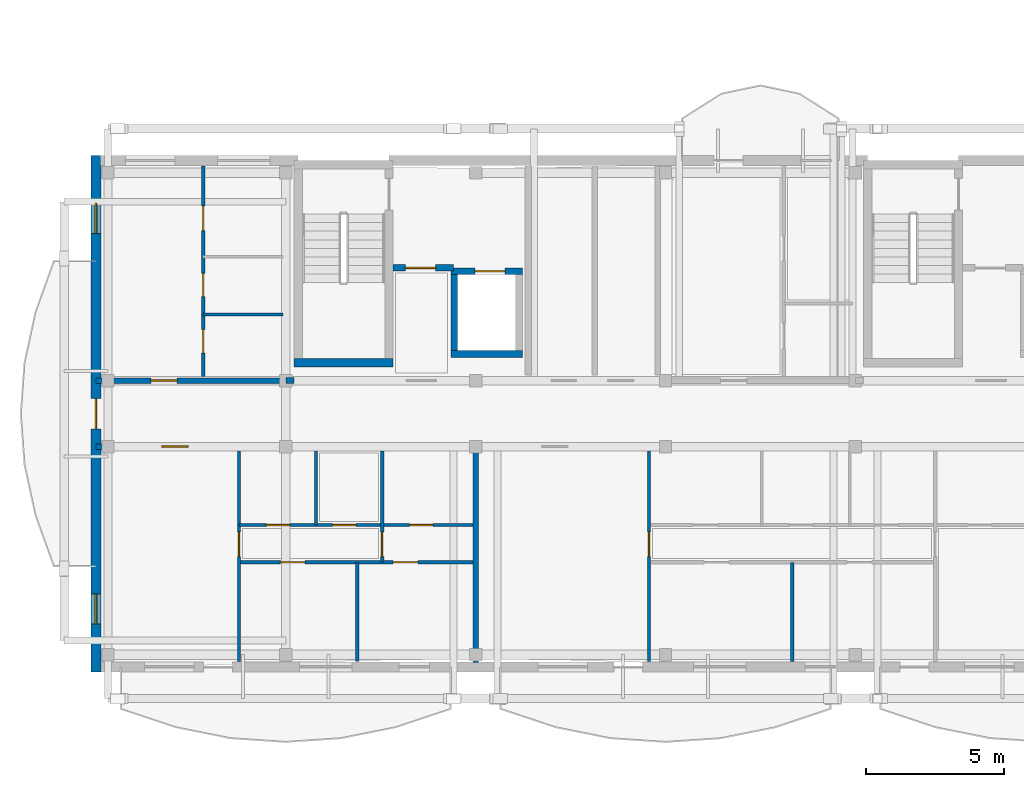
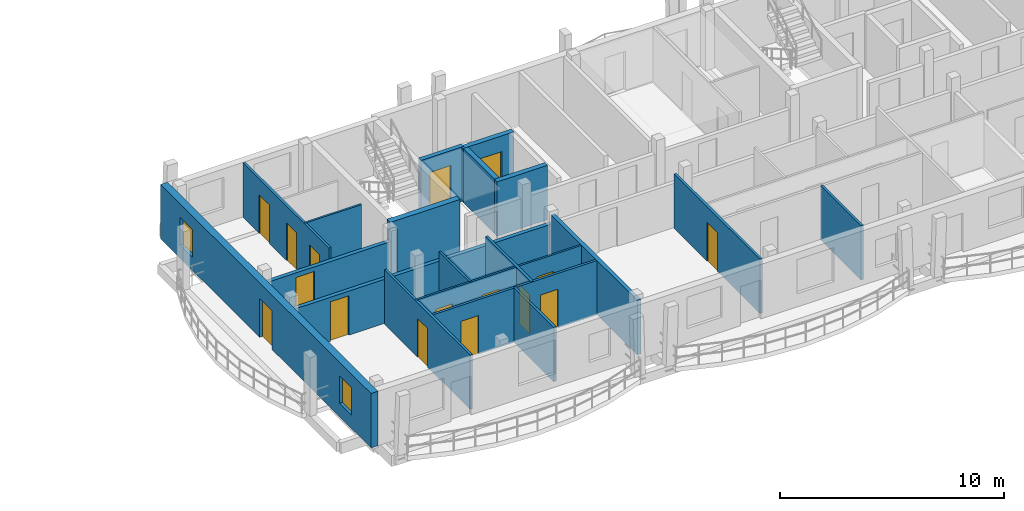
# One storey, part 13 of 41: 20 walls, 16 doors, 2 windows, 18 openings.
"""IFC4 building model written with IfcOpenShell, lengths in metres."""

from ifc_helpers import new_model, si_unit, direction, frame, frame_2d, origin, origin_with_axes, place, context, subcontext, project, spatial, rectangle, extrude, material, layer, layer_set, type_object, element, fill, save


model = new_model("IFC4")

# Units and contexts
model_context = context("Model", 3, precision=1e-05, world=origin(), true_north=direction((0.0, 1.0)))
body_context = subcontext(model_context, "Body", "Model", "MODEL_VIEW")
ifc_project = project(units=[si_unit("LENGTHUNIT", "METRE"), si_unit("AREAUNIT", "SQUARE_METRE"), si_unit("VOLUMEUNIT", "CUBIC_METRE"), si_unit("PLANEANGLEUNIT", "RADIAN"), si_unit("MASSUNIT", "GRAM", prefix="KILO")], contexts=[model_context])

# Site, building, storey
site_placement = place(None, origin())
site = spatial("IfcSite", under=ifc_project, at=site_placement, CompositionType="ELEMENT")
building_placement = place(site_placement, origin())
building = spatial("IfcBuilding", under=site, at=building_placement, Name="Zavelmont Quarter", CompositionType="ELEMENT")
storey_placement = place(building_placement, frame((0.0, 0.0, 27.199951171875)))
storey = spatial("IfcBuildingStorey", under=building, at=storey_placement, Name="L08", CompositionType="ELEMENT", Elevation=27.199951171875)

# Wall, openings, door, windows
ifc_material_1 = material(Name="Natural Belgian limestone", Category="masonry")
ifc_layer_1 = layer(ifc_material_1, 0.360107421875)
ifc_layer_set_1 = layer_set([ifc_layer_1], Name="Natural Belgian limestone")
wall_type_1 = type_object("IfcWallType", Name="EW02", PredefinedType="STANDARD", material=ifc_layer_set_1)
wall_1_placement = place(storey_placement, frame((0.0, -0.179931640625, 0.0), z_axis=(0.0, 0.0, 1.0), x_axis=(0.0, 1.0, 0.0)))
wall_1 = element("IfcWall", 1, at=wall_1_placement, inside=storey, type_object=wall_type_1, Name="L08 exterior limestone wall EW02", PredefinedType="STANDARD", context=body_context, shape_type="SweptSolid", body=[
    extrude(rectangle(XDim=18.760009765625, YDim=0.360107421875, at=frame_2d((9.3798828125, 0.0))), origin(), (0.0, 0.0, 1.0), 2.9599609375),
])
opening_1_placement = place(wall_1_placement, frame((8.830078125, 0.0, 0.0)))
opening_1 = element("IfcOpeningElement", 2, at=opening_1_placement, cuts=wall_1, Name="Opening DR04B", PredefinedType="OPENING", context=body_context, shape_type="SweptSolid", body=[
    extrude(rectangle(XDim=1.10009765625, YDim=2.10009765625, at=frame_2d((0.550048828125, 1.050048828125))), frame((0.0, 0.19189453125, 0.0), z_axis=(0.0, -1.0, 0.0), x_axis=(1.0, 0.0, 0.0)), (0.0, 0.0, 1.0), 0.384033203125),
])
opening_2_placement = place(wall_1_placement, frame((1.72998046875, 0.0, 0.719970703125)))
opening_2 = element("IfcOpeningElement", 3, at=opening_2_placement, cuts=wall_1, Name="Opening WN09", PredefinedType="OPENING", context=body_context, shape_type="SweptSolid", body=[
    extrude(rectangle(XDim=1.10009765625, YDim=1.5, at=frame_2d((0.550048828125, 0.75))), frame((0.0, 0.19189453125, 0.0), z_axis=(0.0, -1.0, 0.0), x_axis=(1.0, 0.0, 0.0)), (0.0, 0.0, 1.0), 0.384033203125),
])
opening_3_placement = place(wall_1_placement, frame((15.929931640625, 0.0, 0.719970703125)))
opening_3 = element("IfcOpeningElement", 4, at=opening_3_placement, cuts=wall_1, Name="Opening WN09", PredefinedType="OPENING", context=body_context, shape_type="SweptSolid", body=[
    extrude(rectangle(XDim=1.10009765625, YDim=1.5, at=frame_2d((0.550048828125, 0.75))), frame((0.0, 0.19189453125, 0.0), z_axis=(0.0, -1.0, 0.0), x_axis=(1.0, 0.0, 0.0)), (0.0, 0.0, 1.0), 0.384033203125),
])
ifc_material_2 = material(Name="Thermally broken aluminium and double safety glass", Category="aluminium")
door_type_1 = type_object("IfcDoorType", Name="DR04B", OperationType="NOTDEFINED", PredefinedType="DOOR", material=ifc_material_2)
door_1_placement = place(opening_1_placement, frame((1.10009765625, 0.0, 0.0), z_axis=(0.0, 0.0, 1.0), x_axis=(-1.0, 0.0, 0.0)))
door_1 = element("IfcDoor", 5, at=door_1_placement, inside=storey, type_object=door_type_1, Name="Block A L08 terrace or vase balcony door", OperationType="SINGLE_SWING_LEFT", OverallHeight=2.10009765625, OverallWidth=1.10009765625, PredefinedType="DOOR", context=body_context, shape_type="SweptSolid", body=[
    extrude(rectangle(XDim=1.10009765625, YDim=2.10009765625, at=frame_2d((0.550048828125, 1.050048828125))), frame((0.0, 0.02490234375, 0.0), z_axis=(0.0, -1.0, 0.0), x_axis=(1.0, 0.0, 0.0)), (0.0, 0.0, 1.0), 0.050048828125),
])
fill(opening_1, door_1)
ifc_material_3 = material(Name="Double low-E insulated glazing in thermally broken aluminium frame", Category="aluminium")
window_type = type_object("IfcWindowType", Name="WN09", PartitioningType="SINGLE_PANEL", PredefinedType="WINDOW", material=ifc_material_3)
window_1_placement = place(opening_2_placement, origin_with_axes())
window_1 = element("IfcWindow", 6, at=window_1_placement, inside=storey, type_object=window_type, Name="L08 window WN09", OverallHeight=1.5, OverallWidth=1.10009765625, PartitioningType="SINGLE_PANEL", PredefinedType="WINDOW", context=body_context, shape_type="SweptSolid", body=[
    extrude(rectangle(XDim=1.10009765625, YDim=1.5, at=frame_2d((0.550048828125, 0.75))), frame((0.0, 0.030029296875, 0.0), z_axis=(0.0, -1.0, 0.0), x_axis=(1.0, 0.0, 0.0)), (0.0, 0.0, 1.0), 0.06005859375),
])
fill(opening_2, window_1)
window_2_placement = place(opening_3_placement, origin_with_axes())
window_2 = element("IfcWindow", 7, at=window_2_placement, inside=storey, type_object=window_type, Name="L08 window WN09", OverallHeight=1.5, OverallWidth=1.10009765625, PartitioningType="SINGLE_PANEL", PredefinedType="WINDOW", context=body_context, shape_type="SweptSolid", body=[
    extrude(rectangle(XDim=1.10009765625, YDim=1.5, at=frame_2d((0.550048828125, 0.75))), frame((0.0, 0.030029296875, 0.0), z_axis=(0.0, -1.0, 0.0), x_axis=(1.0, 0.0, 0.0)), (0.0, 0.0, 1.0), 0.06005859375),
])
fill(opening_3, window_2)

# Wall
ifc_material_4 = material(Name="Calcium-silicate blockwork and acoustic plaster", Category="masonry")
ifc_layer_2 = layer(ifc_material_4, 0.199951171875)
ifc_layer_set_2 = layer_set([ifc_layer_2], Name="Calcium-silicate blockwork and acoustic plaster")
wall_type_2 = type_object("IfcWallType", Name="IW01", PredefinedType="PARTITIONING", material=ifc_layer_set_2)
wall_2_placement = place(storey_placement, frame((13.800048828125, 7.85009765625, 0.0), z_axis=(0.0, 0.0, 1.0), x_axis=(0.0, -1.0, 0.0)))
element("IfcWall", 8, at=wall_2_placement, inside=storey, type_object=wall_type_2, Name="L08 Inter-dwelling compartment wall IW01", PredefinedType="PARTITIONING", context=body_context, shape_type="SweptSolid", body=[
    extrude(rectangle(XDim=7.7001953125, YDim=0.199951171875, at=frame_2d((3.85009765625, 0.0))), origin(), (0.0, 0.0, 1.0), 2.9599609375),
])

# Wall, opening, door
wall_3_placement = place(storey_placement, frame((0.0, 8.0, 0.0), z_axis=(0.0, 0.0, 1.0), x_axis=(1.0, 0.0, 0.0)))
wall_3 = element("IfcWall", 9, at=wall_3_placement, inside=storey, type_object=wall_type_2, Name="L08 Corridor compartment wall IW01", PredefinedType="PARTITIONING", context=body_context, shape_type="SweptSolid", body=[
    extrude(rectangle(XDim=13.800048828125, YDim=0.199951171875, at=frame_2d((6.89990234375, 0.0))), origin(), (0.0, 0.0, 1.0), 2.400146484375),
])
opening_4_placement = place(wall_3_placement, frame((2.39990234375, 0.0, 0.0)))
opening_4 = element("IfcOpeningElement", 10, at=opening_4_placement, cuts=wall_3, Name="Opening DR02", PredefinedType="OPENING", context=body_context, shape_type="SweptSolid", body=[
    extrude(rectangle(XDim=0.949951171875, YDim=2.14990234375, at=frame_2d((0.47509765625, 1.074951171875))), frame((0.0, 0.11181640625, 0.0), z_axis=(0.0, -1.0, 0.0), x_axis=(1.0, 0.0, 0.0)), (0.0, 0.0, 1.0), 0.223876953125),
])
ifc_material_5 = material(Name="Solid-core oak fire leaf in steel frame", Category="steel")
door_type_2 = type_object("IfcDoorType", Name="DR02", OperationType="NOTDEFINED", PredefinedType="DOOR", material=ifc_material_5)
door_2_placement = place(opening_4_placement, frame((0.949951171875, 0.0, 0.0), z_axis=(0.0, 0.0, 1.0), x_axis=(-1.0, 0.0, 0.0)))
door_2 = element("IfcDoor", 11, at=door_2_placement, inside=storey, type_object=door_type_2, Name="L08 door DR02", OperationType="SINGLE_SWING_RIGHT", OverallHeight=2.14990234375, OverallWidth=0.949951171875, PredefinedType="DOOR", context=body_context, shape_type="SweptSolid", body=[
    extrude(rectangle(XDim=0.949951171875, YDim=2.14990234375, at=frame_2d((0.47509765625, 1.074951171875))), frame((0.0, 0.02490234375, 0.0), z_axis=(0.0, -1.0, 0.0), x_axis=(1.0, 0.0, 0.0)), (0.0, 0.0, 1.0), 0.050048828125),
])
fill(opening_4, door_2)

wall_4_placement = place(storey_placement, frame((0.0, 10.39990234375, 0.0), z_axis=(0.0, 0.0, 1.0), x_axis=(1.0, 0.0, 0.0)))
wall_4 = element("IfcWall", 12, at=wall_4_placement, inside=storey, type_object=wall_type_2, Name="L08 Corridor compartment wall IW01", PredefinedType="PARTITIONING", context=body_context, shape_type="SweptSolid", body=[
    extrude(rectangle(XDim=6.89990234375, YDim=0.199951171875, at=frame_2d((3.449951171875, 0.0))), origin(), (0.0, 0.0, 1.0), 2.400146484375),
])
opening_5_placement = place(wall_4_placement, frame((2.0, 0.0, 0.0)))
opening_5 = element("IfcOpeningElement", 13, at=opening_5_placement, cuts=wall_4, Name="Opening DR02", PredefinedType="OPENING", context=body_context, shape_type="SweptSolid", body=[
    extrude(rectangle(XDim=0.949951171875, YDim=2.14990234375, at=frame_2d((0.47509765625, 1.074951171875))), frame((0.0, 0.11181640625, 0.0), z_axis=(0.0, -1.0, 0.0), x_axis=(1.0, 0.0, 0.0)), (0.0, 0.0, 1.0), 0.223876953125),
])
door_3_placement = place(opening_5_placement, origin_with_axes())
door_3 = element("IfcDoor", 14, at=door_3_placement, inside=storey, type_object=door_type_2, Name="L08 door DR02", OperationType="SINGLE_SWING_RIGHT", OverallHeight=2.14990234375, OverallWidth=0.949951171875, PredefinedType="DOOR", context=body_context, shape_type="SweptSolid", body=[
    extrude(rectangle(XDim=0.949951171875, YDim=2.14990234375, at=frame_2d((0.47509765625, 1.074951171875))), frame((0.0, 0.02490234375, 0.0), z_axis=(0.0, -1.0, 0.0), x_axis=(1.0, 0.0, 0.0)), (0.0, 0.0, 1.0), 0.050048828125),
])
fill(opening_5, door_3)

ifc_material_6 = material(Name="Reinforced masonry fire compartment wall", Category="masonry")
ifc_layer_3 = layer(ifc_material_6, 0.22509765625)
ifc_layer_set_3 = layer_set([ifc_layer_3], Name="Reinforced masonry fire compartment wall")
wall_type_3 = type_object("IfcWallType", Name="IW02", PredefinedType="PARTITIONING", material=ifc_layer_set_3)
wall_5_placement = place(storey_placement, frame((10.800048828125, 14.5, 0.0), z_axis=(0.0, 0.0, 1.0), x_axis=(1.0, 0.0, 0.0)))
wall_5 = element("IfcWall", 15, at=wall_5_placement, inside=storey, type_object=wall_type_3, Name="L08 Firefighting lobby threshold wall IW02", PredefinedType="PARTITIONING", context=body_context, shape_type="SweptSolid", body=[
    extrude(rectangle(XDim=2.199951171875, YDim=0.22509765625, at=frame_2d((1.10009765625, 0.0))), origin(), (0.0, 0.0, 1.0), 2.9599609375),
])
opening_6_placement = place(wall_5_placement, frame((0.449951171875, 0.0, 0.0)))
opening_6 = element("IfcOpeningElement", 16, at=opening_6_placement, cuts=wall_5, Name="Opening DR10", PredefinedType="OPENING", context=body_context, shape_type="SweptSolid", body=[
    extrude(rectangle(XDim=1.10009765625, YDim=2.14990234375, at=frame_2d((0.550048828125, 1.074951171875))), frame((0.0, 0.12451171875, 0.0), z_axis=(0.0, -1.0, 0.0), x_axis=(1.0, 0.0, 0.0)), (0.0, 0.0, 1.0), 0.2490234375),
])
ifc_material_7 = material(Name="Painted steel lobby fire door", Category="steel")
door_type_3 = type_object("IfcDoorType", Name="DR10", OperationType="NOTDEFINED", PredefinedType="DOOR", material=ifc_material_7)
door_4_placement = place(opening_6_placement, origin_with_axes())
door_4 = element("IfcDoor", 17, at=door_4_placement, inside=storey, type_object=door_type_3, Name="Firefighting lobby fire door", OperationType="SINGLE_SWING_RIGHT", OverallHeight=2.14990234375, OverallWidth=1.10009765625, PredefinedType="DOOR", context=body_context, shape_type="SweptSolid", body=[
    extrude(rectangle(XDim=1.10009765625, YDim=2.14990234375, at=frame_2d((0.550048828125, 1.074951171875))), frame((0.0, 0.02490234375, 0.0), z_axis=(0.0, -1.0, 0.0), x_axis=(1.0, 0.0, 0.0)), (0.0, 0.0, 1.0), 0.050048828125),
])
fill(opening_6, door_4)

# Wall
wall_6_placement = place(storey_placement, frame((6.89990234375, 10.39990234375, 0.0), z_axis=(0.0, 0.0, 1.0), x_axis=(1.0, 0.0, 0.0)))
element("IfcWall", 18, at=wall_6_placement, inside=storey, type_object=wall_type_3, Name="L08 Core corridor wall IW02", PredefinedType="PARTITIONING", context=body_context, shape_type="SweptSolid", body=[
    extrude(rectangle(XDim=0.300048828125, YDim=0.22509765625, at=frame_2d((0.14990234375, 0.0))), origin(), (0.0, 0.0, 1.0), 2.9599609375),
])

# Wall, opening, door
ifc_material_8 = material(Name="Double gypsum board on acoustic steel stud", Category="steel")
ifc_layer_4 = layer(ifc_material_8, 0.125)
ifc_layer_set_4 = layer_set([ifc_layer_4], Name="Double gypsum board on acoustic steel stud")
wall_type_4 = type_object("IfcWallType", Name="IW03", PredefinedType="PARTITIONING", material=ifc_layer_set_4)
wall_7_placement = place(storey_placement, frame((5.199951171875, 7.85009765625, 0.0), z_axis=(0.0, 0.0, 1.0), x_axis=(0.0, -1.0, 0.0)))
wall_7 = element("IfcWall", 19, at=wall_7_placement, inside=storey, type_object=wall_type_4, Name="L08 Partition IW03", PredefinedType="PARTITIONING", context=body_context, shape_type="SweptSolid", body=[
    extrude(rectangle(XDim=7.650146484375, YDim=0.125, at=frame_2d((3.8251953125, 0.0))), origin(), (0.0, 0.0, 1.0), 2.9599609375),
])
opening_7_placement = place(wall_7_placement, frame((2.949951171875, 0.0, 0.0)))
opening_7 = element("IfcOpeningElement", 20, at=opening_7_placement, cuts=wall_7, Name="Opening DR05", PredefinedType="OPENING", context=body_context, shape_type="SweptSolid", body=[
    extrude(rectangle(XDim=0.89990234375, YDim=2.10009765625, at=frame_2d((0.449951171875, 1.050048828125))), frame((0.0, 0.074462890625, 0.0), z_axis=(0.0, -1.0, 0.0), x_axis=(1.0, 0.0, 0.0)), (0.0, 0.0, 1.0), 0.14892578125),
])
ifc_material_9 = material(Name="Engineered oak flush interior door")
door_type_4 = type_object("IfcDoorType", Name="DR05", OperationType="NOTDEFINED", PredefinedType="DOOR", material=ifc_material_9)
door_5_placement = place(opening_7_placement, frame((0.89990234375, 0.0, 0.0), z_axis=(0.0, 0.0, 1.0), x_axis=(-1.0, 0.0, 0.0)))
door_5 = element("IfcDoor", 21, at=door_5_placement, inside=storey, type_object=door_type_4, Name="L08 door DR05", OperationType="SINGLE_SWING_RIGHT", OverallHeight=2.10009765625, OverallWidth=0.89990234375, PredefinedType="DOOR", context=body_context, shape_type="SweptSolid", body=[
    extrude(rectangle(XDim=0.89990234375, YDim=2.10009765625, at=frame_2d((0.449951171875, 1.050048828125))), frame((0.0, 0.02490234375, 0.0), z_axis=(0.0, -1.0, 0.0), x_axis=(1.0, 0.0, 0.0)), (0.0, 0.0, 1.0), 0.050048828125),
])
fill(opening_7, door_5)

wall_8_placement = place(storey_placement, frame((10.39990234375, 7.85009765625, 0.0), z_axis=(0.0, 0.0, 1.0), x_axis=(0.0, -1.0, 0.0)))
wall_8 = element("IfcWall", 22, at=wall_8_placement, inside=storey, type_object=wall_type_4, Name="L08 Partition IW03", PredefinedType="PARTITIONING", context=body_context, shape_type="SweptSolid", body=[
    extrude(rectangle(XDim=4.050048828125, YDim=0.125, at=frame_2d((2.02490234375, 0.0))), origin(), (0.0, 0.0, 1.0), 2.9599609375),
])
opening_8_placement = place(wall_8_placement, frame((2.949951171875, 0.0, 0.0)))
opening_8 = element("IfcOpeningElement", 23, at=opening_8_placement, cuts=wall_8, Name="Opening DR05", PredefinedType="OPENING", context=body_context, shape_type="SweptSolid", body=[
    extrude(rectangle(XDim=0.89990234375, YDim=2.10009765625, at=frame_2d((0.449951171875, 1.050048828125))), frame((0.0, 0.074462890625, 0.0), z_axis=(0.0, -1.0, 0.0), x_axis=(1.0, 0.0, 0.0)), (0.0, 0.0, 1.0), 0.14892578125),
])
door_6_placement = place(opening_8_placement, origin_with_axes())
door_6 = element("IfcDoor", 24, at=door_6_placement, inside=storey, type_object=door_type_4, Name="L08 door DR05", OperationType="SINGLE_SWING_LEFT", OverallHeight=2.10009765625, OverallWidth=0.89990234375, PredefinedType="DOOR", context=body_context, shape_type="SweptSolid", body=[
    extrude(rectangle(XDim=0.89990234375, YDim=2.10009765625, at=frame_2d((0.449951171875, 1.050048828125))), frame((0.0, 0.02490234375, 0.0), z_axis=(0.0, -1.0, 0.0), x_axis=(1.0, 0.0, 0.0)), (0.0, 0.0, 1.0), 0.050048828125),
])
fill(opening_8, door_6)

# Wall
wall_9_placement = place(storey_placement, frame((9.5, 3.800048828125, 0.0), z_axis=(0.0, 0.0, 1.0), x_axis=(0.0, -1.0, 0.0)))
element("IfcWall", 25, at=wall_9_placement, inside=storey, type_object=wall_type_4, Name="L08 Partition IW03", PredefinedType="PARTITIONING", context=body_context, shape_type="SweptSolid", body=[
    extrude(rectangle(XDim=3.60009765625, YDim=0.125, at=frame_2d((1.800048828125, 0.0))), origin(), (0.0, 0.0, 1.0), 2.9599609375),
])

# Wall, openings, doors
wall_10_placement = place(storey_placement, frame((5.199951171875, 3.800048828125, 0.0), z_axis=(0.0, 0.0, 1.0), x_axis=(1.0, 0.0, 0.0)))
wall_10 = element("IfcWall", 26, at=wall_10_placement, inside=storey, type_object=wall_type_4, Name="L08 Partition IW03", PredefinedType="PARTITIONING", context=body_context, shape_type="SweptSolid", body=[
    extrude(rectangle(XDim=8.5, YDim=0.125, at=frame_2d((4.25, 0.0))), origin(), (0.0, 0.0, 1.0), 2.9599609375),
])
opening_9_placement = place(wall_10_placement, frame((1.5, 0.0, 0.0)))
opening_9 = element("IfcOpeningElement", 27, at=opening_9_placement, cuts=wall_10, Name="Opening DR05", PredefinedType="OPENING", context=body_context, shape_type="SweptSolid", body=[
    extrude(rectangle(XDim=0.89990234375, YDim=2.10009765625, at=frame_2d((0.449951171875, 1.050048828125))), frame((0.0, 0.074462890625, 0.0), z_axis=(0.0, -1.0, 0.0), x_axis=(1.0, 0.0, 0.0)), (0.0, 0.0, 1.0), 0.14892578125),
])
opening_10_placement = place(wall_10_placement, frame((5.60009765625, 0.0, 0.0)))
opening_10 = element("IfcOpeningElement", 28, at=opening_10_placement, cuts=wall_10, Name="Opening DR05", PredefinedType="OPENING", context=body_context, shape_type="SweptSolid", body=[
    extrude(rectangle(XDim=0.89990234375, YDim=2.10009765625, at=frame_2d((0.449951171875, 1.050048828125))), frame((0.0, 0.074462890625, 0.0), z_axis=(0.0, -1.0, 0.0), x_axis=(1.0, 0.0, 0.0)), (0.0, 0.0, 1.0), 0.14892578125),
])
door_7_placement = place(opening_9_placement, origin_with_axes())
door_7 = element("IfcDoor", 29, at=door_7_placement, inside=storey, type_object=door_type_4, Name="L08 door DR05", OperationType="SINGLE_SWING_LEFT", OverallHeight=2.10009765625, OverallWidth=0.89990234375, PredefinedType="DOOR", context=body_context, shape_type="SweptSolid", body=[
    extrude(rectangle(XDim=0.89990234375, YDim=2.10009765625, at=frame_2d((0.449951171875, 1.050048828125))), frame((0.0, 0.02490234375, 0.0), z_axis=(0.0, -1.0, 0.0), x_axis=(1.0, 0.0, 0.0)), (0.0, 0.0, 1.0), 0.050048828125),
])
fill(opening_9, door_7)
door_8_placement = place(opening_10_placement, frame((0.89990234375, 0.0, 0.0), z_axis=(0.0, 0.0, 1.0), x_axis=(-1.0, 0.0, 0.0)))
door_8 = element("IfcDoor", 30, at=door_8_placement, inside=storey, type_object=door_type_4, Name="L08 door DR05", OperationType="SINGLE_SWING_RIGHT", OverallHeight=2.10009765625, OverallWidth=0.89990234375, PredefinedType="DOOR", context=body_context, shape_type="SweptSolid", body=[
    extrude(rectangle(XDim=0.89990234375, YDim=2.10009765625, at=frame_2d((0.449951171875, 1.050048828125))), frame((0.0, 0.02490234375, 0.0), z_axis=(0.0, -1.0, 0.0), x_axis=(1.0, 0.0, 0.0)), (0.0, 0.0, 1.0), 0.050048828125),
])
fill(opening_10, door_8)

# Wall, opening, door
wall_11_placement = place(storey_placement, frame((20.10009765625, 7.85009765625, 0.0), z_axis=(0.0, 0.0, 1.0), x_axis=(0.0, -1.0, 0.0)))
wall_11 = element("IfcWall", 31, at=wall_11_placement, inside=storey, type_object=wall_type_4, Name="L08 Partition IW03", PredefinedType="PARTITIONING", context=body_context, shape_type="SweptSolid", body=[
    extrude(rectangle(XDim=7.650146484375, YDim=0.125, at=frame_2d((3.8251953125, 0.0))), origin(), (0.0, 0.0, 1.0), 2.9599609375),
])
opening_11_placement = place(wall_11_placement, frame((2.949951171875, 0.0, 0.0)))
opening_11 = element("IfcOpeningElement", 32, at=opening_11_placement, cuts=wall_11, Name="Opening DR05", PredefinedType="OPENING", context=body_context, shape_type="SweptSolid", body=[
    extrude(rectangle(XDim=0.89990234375, YDim=2.10009765625, at=frame_2d((0.449951171875, 1.050048828125))), frame((0.0, 0.074462890625, 0.0), z_axis=(0.0, -1.0, 0.0), x_axis=(1.0, 0.0, 0.0)), (0.0, 0.0, 1.0), 0.14892578125),
])
door_9_placement = place(opening_11_placement, frame((0.89990234375, 0.0, 0.0), z_axis=(0.0, 0.0, 1.0), x_axis=(-1.0, 0.0, 0.0)))
door_9 = element("IfcDoor", 33, at=door_9_placement, inside=storey, type_object=door_type_4, Name="L08 door DR05", OperationType="SINGLE_SWING_LEFT", OverallHeight=2.10009765625, OverallWidth=0.89990234375, PredefinedType="DOOR", context=body_context, shape_type="SweptSolid", body=[
    extrude(rectangle(XDim=0.89990234375, YDim=2.10009765625, at=frame_2d((0.449951171875, 1.050048828125))), frame((0.0, 0.02490234375, 0.0), z_axis=(0.0, -1.0, 0.0), x_axis=(1.0, 0.0, 0.0)), (0.0, 0.0, 1.0), 0.050048828125),
])
fill(opening_11, door_9)

# Wall
wall_12_placement = place(storey_placement, frame((25.300048828125, 3.800048828125, 0.0), z_axis=(0.0, 0.0, 1.0), x_axis=(0.0, -1.0, 0.0)))
element("IfcWall", 34, at=wall_12_placement, inside=storey, type_object=wall_type_4, Name="L08 Partition IW03", PredefinedType="PARTITIONING", context=body_context, shape_type="SweptSolid", body=[
    extrude(rectangle(XDim=3.60009765625, YDim=0.125, at=frame_2d((1.800048828125, 0.0))), origin(), (0.0, 0.0, 1.0), 2.9599609375),
])

# Wall, openings, doors
wall_13_placement = place(storey_placement, frame((3.89990234375, 10.550048828125, 0.0), z_axis=(0.0, 0.0, 1.0), x_axis=(0.0, 1.0, 0.0)))
wall_13 = element("IfcWall", 35, at=wall_13_placement, inside=storey, type_object=wall_type_4, Name="L08 Partition IW03", PredefinedType="PARTITIONING", context=body_context, shape_type="SweptSolid", body=[
    extrude(rectangle(XDim=7.64990234375, YDim=0.125, at=frame_2d((3.824951171875, 0.0))), origin(), (0.0, 0.0, 1.0), 2.9599609375),
])
opening_12_placement = place(wall_13_placement, frame((0.85009765625, 0.0, 0.0)))
opening_12 = element("IfcOpeningElement", 36, at=opening_12_placement, cuts=wall_13, Name="Opening DR16", PredefinedType="OPENING", context=body_context, shape_type="SweptSolid", body=[
    extrude(rectangle(XDim=0.85009765625, YDim=2.10009765625, at=frame_2d((0.425048828125, 1.050048828125))), frame((0.0, 0.074462890625, 0.0), z_axis=(0.0, -1.0, 0.0), x_axis=(1.0, 0.0, 0.0)), (0.0, 0.0, 1.0), 0.14892578125),
])
opening_13_placement = place(wall_13_placement, frame((2.89990234375, 0.0, 0.0)))
opening_13 = element("IfcOpeningElement", 37, at=opening_13_placement, cuts=wall_13, Name="Opening DR06", PredefinedType="OPENING", context=body_context, shape_type="SweptSolid", body=[
    extrude(rectangle(XDim=0.85009765625, YDim=2.050048828125, at=frame_2d((0.425048828125, 1.02490234375))), frame((0.0, 0.074462890625, 0.0), z_axis=(0.0, -1.0, 0.0), x_axis=(1.0, 0.0, 0.0)), (0.0, 0.0, 1.0), 0.14892578125),
])
opening_14_placement = place(wall_13_placement, frame((5.300048828125, 0.0, 0.0)))
opening_14 = element("IfcOpeningElement", 38, at=opening_14_placement, cuts=wall_13, Name="Opening DR05", PredefinedType="OPENING", context=body_context, shape_type="SweptSolid", body=[
    extrude(rectangle(XDim=0.89990234375, YDim=2.10009765625, at=frame_2d((0.449951171875, 1.050048828125))), frame((0.0, 0.074462890625, 0.0), z_axis=(0.0, -1.0, 0.0), x_axis=(1.0, 0.0, 0.0)), (0.0, 0.0, 1.0), 0.14892578125),
])
door_10_placement = place(opening_14_placement, frame((0.89990234375, 0.0, 0.0), z_axis=(0.0, 0.0, 1.0), x_axis=(-1.0, 0.0, 0.0)))
door_10 = element("IfcDoor", 39, at=door_10_placement, inside=storey, type_object=door_type_4, Name="L08 door DR05", OperationType="SINGLE_SWING_RIGHT", OverallHeight=2.10009765625, OverallWidth=0.89990234375, PredefinedType="DOOR", context=body_context, shape_type="SweptSolid", body=[
    extrude(rectangle(XDim=0.89990234375, YDim=2.10009765625, at=frame_2d((0.449951171875, 1.050048828125))), frame((0.0, 0.02490234375, 0.0), z_axis=(0.0, -1.0, 0.0), x_axis=(1.0, 0.0, 0.0)), (0.0, 0.0, 1.0), 0.050048828125),
])
fill(opening_14, door_10)
ifc_material_10 = material(Name="Moisture-resistant painted wet-room door")
door_type_5 = type_object("IfcDoorType", Name="DR06", OperationType="NOTDEFINED", PredefinedType="DOOR", material=ifc_material_10)
door_11_placement = place(opening_13_placement, origin_with_axes())
door_11 = element("IfcDoor", 40, at=door_11_placement, inside=storey, type_object=door_type_5, Name="L08 door DR06", OperationType="SINGLE_SWING_LEFT", OverallHeight=2.050048828125, OverallWidth=0.85009765625, PredefinedType="DOOR", context=body_context, shape_type="SweptSolid", body=[
    extrude(rectangle(XDim=0.85009765625, YDim=2.050048828125, at=frame_2d((0.425048828125, 1.02490234375))), frame((0.0, 0.02490234375, 0.0), z_axis=(0.0, -1.0, 0.0), x_axis=(1.0, 0.0, 0.0)), (0.0, 0.0, 1.0), 0.050048828125),
])
fill(opening_13, door_11)
door_type_6 = type_object("IfcDoorType", Name="DR16", OperationType="NOTDEFINED", PredefinedType="DOOR", material=ifc_material_9)
door_12_placement = place(opening_12_placement, frame((0.85009765625, 0.0, 0.0), z_axis=(0.0, 0.0, 1.0), x_axis=(-1.0, 0.0, 0.0)))
door_12 = element("IfcDoor", 41, at=door_12_placement, inside=storey, type_object=door_type_6, Name="L08 door DR16", OperationType="SINGLE_SWING_RIGHT", OverallHeight=2.10009765625, OverallWidth=0.85009765625, PredefinedType="DOOR", context=body_context, shape_type="SweptSolid", body=[
    extrude(rectangle(XDim=0.85009765625, YDim=2.10009765625, at=frame_2d((0.425048828125, 1.050048828125))), frame((0.0, 0.02490234375, 0.0), z_axis=(0.0, -1.0, 0.0), x_axis=(1.0, 0.0, 0.0)), (0.0, 0.0, 1.0), 0.050048828125),
])
fill(opening_12, door_12)

# Wall
ifc_material_11 = material(Name="Moisture-resistant gypsum board on steel stud", Category="steel")
ifc_layer_5 = layer(ifc_material_11, 0.10009765625)
ifc_layer_set_5 = layer_set([ifc_layer_5], Name="Moisture-resistant gypsum board on steel stud")
wall_type_5 = type_object("IfcWallType", Name="IW04", PredefinedType="PARTITIONING", material=ifc_layer_set_5)
wall_14_placement = place(storey_placement, frame((8.0, 7.85009765625, 0.0), z_axis=(0.0, 0.0, 1.0), x_axis=(0.0, -1.0, 0.0)))
element("IfcWall", 42, at=wall_14_placement, inside=storey, type_object=wall_type_5, Name="L08 Partition IW04", PredefinedType="PARTITIONING", context=body_context, shape_type="SweptSolid", body=[
    extrude(rectangle(XDim=2.7001953125, YDim=0.10009765625, at=frame_2d((1.35009765625, 0.0))), origin(), (0.0, 0.0, 1.0), 2.9599609375),
])

# Wall, openings, doors
wall_15_placement = place(storey_placement, frame((5.199951171875, 5.14990234375, 0.0), z_axis=(0.0, 0.0, 1.0), x_axis=(1.0, 0.0, 0.0)))
wall_15 = element("IfcWall", 43, at=wall_15_placement, inside=storey, type_object=wall_type_5, Name="L08 Partition IW04", PredefinedType="PARTITIONING", context=body_context, shape_type="SweptSolid", body=[
    extrude(rectangle(XDim=8.5, YDim=0.10009765625, at=frame_2d((4.25, 0.0))), origin(), (0.0, 0.0, 1.0), 2.9599609375),
])
opening_15_placement = place(wall_15_placement, frame((1.0, 0.0, 0.0)))
opening_15 = element("IfcOpeningElement", 44, at=opening_15_placement, cuts=wall_15, Name="Opening DR16", PredefinedType="OPENING", context=body_context, shape_type="SweptSolid", body=[
    extrude(rectangle(XDim=0.85009765625, YDim=2.10009765625, at=frame_2d((0.425048828125, 1.050048828125))), frame((0.0, 0.06201171875, 0.0), z_axis=(0.0, -1.0, 0.0), x_axis=(1.0, 0.0, 0.0)), (0.0, 0.0, 1.0), 0.1240234375),
])
opening_16_placement = place(wall_15_placement, frame((3.39990234375, 0.0, 0.0)))
opening_16 = element("IfcOpeningElement", 45, at=opening_16_placement, cuts=wall_15, Name="Opening DR06", PredefinedType="OPENING", context=body_context, shape_type="SweptSolid", body=[
    extrude(rectangle(XDim=0.85009765625, YDim=2.050048828125, at=frame_2d((0.425048828125, 1.02490234375))), frame((0.0, 0.06201171875, 0.0), z_axis=(0.0, -1.0, 0.0), x_axis=(1.0, 0.0, 0.0)), (0.0, 0.0, 1.0), 0.1240234375),
])
opening_17_placement = place(wall_15_placement, frame((6.199951171875, 0.0, 0.0)))
opening_17 = element("IfcOpeningElement", 46, at=opening_17_placement, cuts=wall_15, Name="Opening DR06", PredefinedType="OPENING", context=body_context, shape_type="SweptSolid", body=[
    extrude(rectangle(XDim=0.85009765625, YDim=2.050048828125, at=frame_2d((0.425048828125, 1.02490234375))), frame((0.0, 0.06201171875, 0.0), z_axis=(0.0, -1.0, 0.0), x_axis=(1.0, 0.0, 0.0)), (0.0, 0.0, 1.0), 0.1240234375),
])
door_13_placement = place(opening_16_placement, origin_with_axes())
door_13 = element("IfcDoor", 47, at=door_13_placement, inside=storey, type_object=door_type_5, Name="L08 door DR06", OperationType="SINGLE_SWING_LEFT", OverallHeight=2.050048828125, OverallWidth=0.85009765625, PredefinedType="DOOR", context=body_context, shape_type="SweptSolid", body=[
    extrude(rectangle(XDim=0.85009765625, YDim=2.050048828125, at=frame_2d((0.425048828125, 1.02490234375))), frame((0.0, 0.02490234375, 0.0), z_axis=(0.0, -1.0, 0.0), x_axis=(1.0, 0.0, 0.0)), (0.0, 0.0, 1.0), 0.050048828125),
])
fill(opening_16, door_13)
door_14_placement = place(opening_17_placement, frame((0.85009765625, 0.0, 0.0), z_axis=(0.0, 0.0, 1.0), x_axis=(-1.0, 0.0, 0.0)))
door_14 = element("IfcDoor", 48, at=door_14_placement, inside=storey, type_object=door_type_5, Name="L08 door DR06", OperationType="SINGLE_SWING_RIGHT", OverallHeight=2.050048828125, OverallWidth=0.85009765625, PredefinedType="DOOR", context=body_context, shape_type="SweptSolid", body=[
    extrude(rectangle(XDim=0.85009765625, YDim=2.050048828125, at=frame_2d((0.425048828125, 1.02490234375))), frame((0.0, 0.02490234375, 0.0), z_axis=(0.0, -1.0, 0.0), x_axis=(1.0, 0.0, 0.0)), (0.0, 0.0, 1.0), 0.050048828125),
])
fill(opening_17, door_14)
door_15_placement = place(opening_15_placement, frame((0.85009765625, 0.0, 0.0), z_axis=(0.0, 0.0, 1.0), x_axis=(-1.0, 0.0, 0.0)))
door_15 = element("IfcDoor", 49, at=door_15_placement, inside=storey, type_object=door_type_6, Name="L08 door DR16", OperationType="SINGLE_SWING_RIGHT", OverallHeight=2.10009765625, OverallWidth=0.85009765625, PredefinedType="DOOR", context=body_context, shape_type="SweptSolid", body=[
    extrude(rectangle(XDim=0.85009765625, YDim=2.10009765625, at=frame_2d((0.425048828125, 1.050048828125))), frame((0.0, 0.02490234375, 0.0), z_axis=(0.0, -1.0, 0.0), x_axis=(1.0, 0.0, 0.0)), (0.0, 0.0, 1.0), 0.050048828125),
])
fill(opening_15, door_15)

# Walls
wall_16_placement = place(storey_placement, frame((3.89990234375, 12.800048828125, 0.0), z_axis=(0.0, 0.0, 1.0), x_axis=(1.0, 0.0, 0.0)))
element("IfcWall", 50, at=wall_16_placement, inside=storey, type_object=wall_type_5, Name="L08 Partition IW04", PredefinedType="PARTITIONING", context=body_context, shape_type="SweptSolid", body=[
    extrude(rectangle(XDim=2.900146484375, YDim=0.10009765625, at=frame_2d((1.4501953125, 0.0))), origin(), (0.0, 0.0, 1.0), 2.9599609375),
])
ifc_material_12 = material(Name="Concrete C40/50", Category="concrete")
ifc_layer_6 = layer(ifc_material_12, 0.300048828125)
ifc_layer_set_6 = layer_set([ifc_layer_6], Name="Concrete C40/50")
wall_type_6 = type_object("IfcWallType", Name="SW01", PredefinedType="SHEAR", material=ifc_layer_set_6)
wall_17_placement = place(storey_placement, frame((7.199951171875, 11.050048828125, 0.0), z_axis=(0.0, 0.0, 1.0), x_axis=(1.0, 0.0, 0.0)))
element("IfcWall", 51, at=wall_17_placement, inside=storey, type_object=wall_type_6, Name="L08 ST01 corridor shear wall SW01", PredefinedType="SHEAR", context=body_context, shape_type="SweptSolid", body=[
    extrude(rectangle(XDim=3.60009765625, YDim=0.300048828125, at=frame_2d((1.800048828125, 0.0))), origin(), (0.0, 0.0, 1.0), 2.9599609375),
])

# Wall, opening, door
ifc_layer_7 = layer(ifc_material_12, 0.25)
ifc_layer_set_7 = layer_set([ifc_layer_7], Name="Concrete C40/50")
wall_type_7 = type_object("IfcWallType", Name="SW02", PredefinedType="SHEAR", material=ifc_layer_set_7)
wall_18_placement = place(storey_placement, frame((12.89990234375, 14.375, 0.0), z_axis=(0.0, 0.0, 1.0), x_axis=(1.0, 0.0, 0.0)))
wall_18 = element("IfcWall", 52, at=wall_18_placement, inside=storey, type_object=wall_type_7, Name="L08 Lift FL01 landing shaft wall SW02", PredefinedType="SHEAR", context=body_context, shape_type="SweptSolid", body=[
    extrude(rectangle(XDim=2.60009765625, YDim=0.25, at=frame_2d((1.300048828125, 0.0))), origin(), (0.0, 0.0, 1.0), 2.9599609375),
])
opening_18_placement = place(wall_18_placement, frame((0.875, 0.0, 0.0)))
opening_18 = element("IfcOpeningElement", 53, at=opening_18_placement, cuts=wall_18, Name="Opening LD02", PredefinedType="OPENING", context=body_context, shape_type="SweptSolid", body=[
    extrude(rectangle(XDim=1.10009765625, YDim=2.10009765625, at=frame_2d((0.550048828125, 1.050048828125))), frame((0.0, 0.136962890625, 0.0), z_axis=(0.0, -1.0, 0.0), x_axis=(1.0, 0.0, 0.0)), (0.0, 0.0, 1.0), 0.27392578125),
])
ifc_material_13 = material(Name="Brushed stainless-steel firefighting lift landing door", Category="steel")
door_type_7 = type_object("IfcDoorType", Name="LD02", OperationType="SLIDING_TO_LEFT", PredefinedType="DOOR", material=ifc_material_13)
door_16_placement = place(opening_18_placement, origin_with_axes())
door_16 = element("IfcDoor", 54, at=door_16_placement, inside=storey, type_object=door_type_7, Name="Lift FL01 sliding landing door", OperationType="SLIDING_TO_LEFT", OverallHeight=2.10009765625, OverallWidth=1.10009765625, PredefinedType="DOOR", context=body_context, shape_type="SweptSolid", body=[
    extrude(rectangle(XDim=1.10009765625, YDim=2.10009765625, at=frame_2d((0.550048828125, 1.050048828125))), frame((0.0, 0.02490234375, 0.0), z_axis=(0.0, -1.0, 0.0), x_axis=(1.0, 0.0, 0.0)), (0.0, 0.0, 1.0), 0.050048828125),
])
fill(opening_18, door_16)

# Walls
wall_19_placement = place(storey_placement, frame((12.89990234375, 11.375, 0.0), z_axis=(0.0, 0.0, 1.0), x_axis=(1.0, 0.0, 0.0)))
element("IfcWall", 55, at=wall_19_placement, inside=storey, type_object=wall_type_7, Name="L08 Lift FL01 back shaft wall SW02", PredefinedType="SHEAR", context=body_context, shape_type="SweptSolid", body=[
    extrude(rectangle(XDim=2.60009765625, YDim=0.25, at=frame_2d((1.300048828125, 0.0))), origin(), (0.0, 0.0, 1.0), 2.9599609375),
])
wall_20_placement = place(storey_placement, frame((13.02490234375, 11.25, 0.0), z_axis=(0.0, 0.0, 1.0), x_axis=(0.0, 1.0, 0.0)))
element("IfcWall", 56, at=wall_20_placement, inside=storey, type_object=wall_type_7, Name="L08 Lift FL01 west shaft wall SW02", PredefinedType="SHEAR", context=body_context, shape_type="SweptSolid", body=[
    extrude(rectangle(XDim=3.25, YDim=0.25, at=frame_2d((1.625, 0.0))), origin(), (0.0, 0.0, 1.0), 2.9599609375),
])

save(model, "model.ifc")
